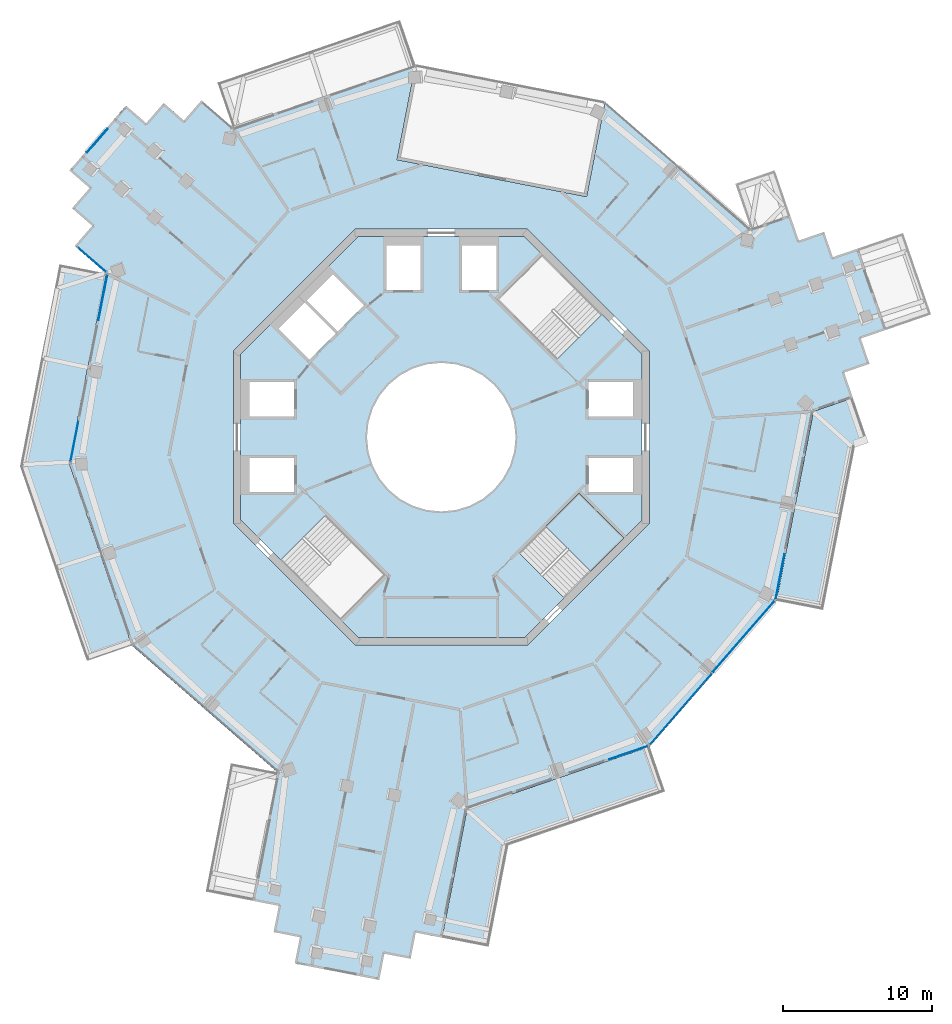
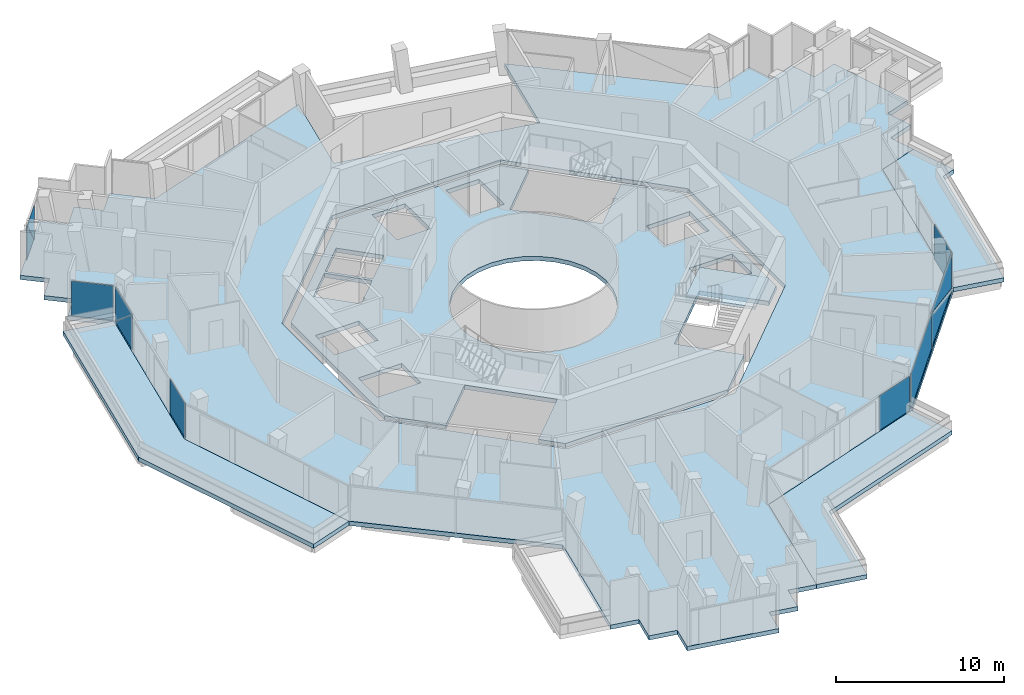
# One storey, part 11 of 22: 11 plates, 6 slabs, 7 elements without a shape of their own.
"""IFC4 building model written with IfcOpenShell, lengths in metres."""

from ifc_helpers import new_model, si_unit, direction, frame, origin, origin_2d, place, context, subcontext, project, spatial, polyline, rectangle, outline, extrude, material, layer, layer_set, type_object, element, aggregate, save


model = new_model("IFC4")

# Units and contexts
model_context = context("Model", 3, precision=1e-05, world=origin(), true_north=direction((0.0, 1.0)))
body_context = subcontext(model_context, "Body", "Model", "MODEL_VIEW")
ifc_project = project(units=[si_unit("LENGTHUNIT", "METRE"), si_unit("AREAUNIT", "SQUARE_METRE"), si_unit("VOLUMEUNIT", "CUBIC_METRE"), si_unit("PLANEANGLEUNIT", "RADIAN"), si_unit("MASSUNIT", "GRAM", prefix="KILO")], contexts=[model_context])

# Site, building, storey
site_placement = place(None, origin())
site = spatial("IfcSite", under=ifc_project, at=site_placement, CompositionType="ELEMENT")
building_placement = place(site_placement, origin())
building = spatial("IfcBuilding", under=site, at=building_placement, Name="Verdalira Terraces Hotel", CompositionType="ELEMENT")
storey_placement = place(building_placement, frame((0.0, 0.0, 234.0)))
storey = spatial("IfcBuildingStorey", under=building, at=storey_placement, Name="L57", CompositionType="ELEMENT", Elevation=234.0)

# Slabs
ifc_material_1 = material(Name="Precast concrete C40/50", Category="concrete")
ifc_layer_1 = layer(ifc_material_1, 0.31005859375)
ifc_layer_set_1 = layer_set([ifc_layer_1], Name="Balcony deck 310")
slab_type_1 = type_object("IfcSlabType", Name="Balcony deck 310", PredefinedType="FLOOR", material=ifc_layer_set_1)
slab_1_placement = place(storey_placement, frame((0.0, 0.0, -0.310059)))
element("IfcSlab", 1, at=slab_1_placement, inside=storey, type_object=slab_type_1, Name="Balcony deck", PredefinedType="FLOOR", context=body_context, shape_type="SweptSolid", body=[
    extrude(outline(polyline([(-28.359131, -1.963135), (-23.856689, -15.068848), (-20.830322, -14.029053), (-25.054199, -1.734375), (-22.564697, 11.025146), (-25.705566, 11.637939), (-28.359131, -1.963135)])), origin(), (0.0, 0.0, 1.0), 0.310059),
])
slab_2_placement = place(storey_placement, frame((0.0, 0.0, -0.310059)))
element("IfcSlab", 2, at=slab_2_placement, inside=storey, type_object=slab_type_1, Name="Balcony deck", PredefinedType="FLOOR", context=body_context, shape_type="SweptSolid", body=[
    extrude(outline(polyline([(15.068848, -23.856689), (14.029053, -20.830322), (1.734375, -25.054199), (0.048096, -33.697754), (3.188721, -34.310547), (4.521484, -27.480225), (15.068848, -23.856689)])), origin(), (0.0, 0.0, 1.0), 0.310059),
])
slab_3_placement = place(storey_placement, frame((0.0, 0.0, -0.310059)))
element("IfcSlab", 3, at=slab_3_placement, inside=storey, type_object=slab_type_1, Name="Balcony deck", PredefinedType="FLOOR", context=body_context, shape_type="SweptSolid", body=[
    extrude(outline(polyline([(28.748047, -0.380127), (27.708496, 2.64624), (25.054199, 1.734375), (22.564697, -11.025146), (25.705566, -11.637939), (27.841064, -0.69165), (28.748047, -0.380127)])), origin(), (0.0, 0.0, 1.0), 0.310059),
])

# Curtain wall, plates
ifc_material_2 = material(Name="Clear glass", Category="glass")
ifc_layer_2 = layer(ifc_material_2, 0.14990234375)
ifc_layer_set_2 = layer_set([ifc_layer_2], Name="CW1 curtain wall")
curtain_wall_type_1 = type_object("IfcCurtainWallType", Name="CW1 curtain wall", PredefinedType="NOTDEFINED", material=ifc_layer_set_2)
curtain_wall_1_placement = place(storey_placement, origin())
curtain_wall_1 = element("IfcCurtainWall", 4, at=curtain_wall_1_placement, inside=storey, type_object=curtain_wall_type_1, Name="CW1 curtain wall L57 edge 11", PredefinedType="NOTDEFINED")
ifc_material_3 = material(Name="Clear glass", Category="glass")
ifc_layer_3 = layer(ifc_material_3, 0.028076171875)
ifc_layer_set_3 = layer_set([ifc_layer_3], Name="CW1 glass unit 28")
plate_type_1 = type_object("IfcPlateType", Name="CW1 glass unit 28", PredefinedType="CURTAIN_PANEL", material=ifc_layer_set_3)
plate_1_placement = place(storey_placement, frame((-22.789551, 9.408203, 1.262451), z_axis=(-0.981493734, 0.191494254, 0.0), x_axis=(-0.191494254, -0.981493734, 0.0)))
plate_1 = element("IfcPlate", 5, at=plate_1_placement, type_object=plate_type_1, Name="CW1 glass unit", PredefinedType="CURTAIN_PANEL", context=body_context, shape_type="SweptSolid", body=[
    extrude(outline(polyline([(-1.569824, -1.262451), (1.569824, -1.262451), (1.569824, 1.262451), (-1.569824, -1.262451)])), origin(), (0.0, 0.0, 1.0), 0.028076),
])
plate_2_placement = place(storey_placement, frame((-22.760986, 9.402588, 1.262451), z_axis=(-0.981493734, 0.191494254, 0.0), x_axis=(-0.191494254, -0.981493734, 0.0)))
plate_2 = element("IfcPlate", 6, at=plate_2_placement, type_object=plate_type_1, Name="CW1 glass unit", PredefinedType="CURTAIN_PANEL", context=body_context, shape_type="SweptSolid", body=[
    extrude(outline(polyline([(-1.569824, -1.262451), (1.569824, 1.262451), (-1.569824, 1.262451), (-1.569824, -1.262451)])), origin(), (0.0, 0.0, 1.0), 0.028076),
])
plate_3_placement = place(storey_placement, frame((-24.699219, -0.306396, 0.0), z_axis=(0.0, 0.0, 1.0), x_axis=(-0.191494254, -0.981493734, 0.0)))
plate_3 = element("IfcPlate", 7, at=plate_3_placement, type_object=plate_type_1, Name="CW1 glass unit", PredefinedType="CURTAIN_PANEL", context=body_context, shape_type="SweptSolid", body=[
    extrude(rectangle(XDim=2.738525, YDim=0.028076, at=origin_2d()), origin(), (0.0, 0.0, 1.0), 2.524902),
])
aggregate(curtain_wall_1, [plate_1, plate_2, plate_3])

# Curtain wall, plate
curtain_wall_2_placement = place(storey_placement, origin())
curtain_wall_2 = element("IfcCurtainWall", 8, at=curtain_wall_2_placement, inside=storey, type_object=curtain_wall_type_1, Name="CW1 curtain wall L57 edge 25", PredefinedType="NOTDEFINED")
plate_4_placement = place(storey_placement, frame((12.61499, -21.236816, 0.0), z_axis=(0.0, 0.0, 1.0), x_axis=(0.945745635, 0.324907979, 0.0)))
plate_4 = element("IfcPlate", 9, at=plate_4_placement, type_object=plate_type_1, Name="CW1 glass unit", PredefinedType="CURTAIN_PANEL", context=body_context, shape_type="SweptSolid", body=[
    extrude(rectangle(XDim=2.738525, YDim=0.028076, at=origin_2d()), origin(), (0.0, 0.0, 1.0), 2.524902),
])
aggregate(curtain_wall_2, [plate_4])

# Curtain wall, plates
curtain_wall_3_placement = place(storey_placement, origin())
curtain_wall_3 = element("IfcCurtainWall", 10, at=curtain_wall_3_placement, inside=storey, type_object=curtain_wall_type_1, Name="CW1 curtain wall L57 edge 26", PredefinedType="NOTDEFINED")
plate_5_placement = place(storey_placement, frame((16.129395, -18.303223, 0.0), z_axis=(0.0, 0.0, 1.0), x_axis=(0.656585756, 0.754251381, 0.0)))
plate_5 = element("IfcPlate", 11, at=plate_5_placement, type_object=plate_type_1, Name="CW1 glass unit", PredefinedType="CURTAIN_PANEL", context=body_context, shape_type="SweptSolid", body=[
    extrude(rectangle(XDim=6.369873, YDim=0.028076, at=origin_2d()), origin(), (0.0, 0.0, 1.0), 2.524902),
])
plate_6_placement = place(storey_placement, frame((20.340576, -13.444336, 1.262451), z_axis=(0.754251381, -0.656585756, 0.0), x_axis=(0.656585756, 0.754251381, 0.0)))
plate_6 = element("IfcPlate", 12, at=plate_6_placement, type_object=plate_type_1, Name="CW1 glass unit", PredefinedType="CURTAIN_PANEL", context=body_context, shape_type="SweptSolid", body=[
    extrude(outline(polyline([(-3.185059, -1.262451), (3.185059, -1.262451), (-3.185059, 1.262451), (-3.185059, -1.262451)])), origin(), (0.0, 0.0, 1.0), 0.028076),
])
plate_7_placement = place(storey_placement, frame((20.318604, -13.425293, 1.262451), z_axis=(0.754251381, -0.656585756, 0.0), x_axis=(0.656585756, 0.754251381, 0.0)))
plate_7 = element("IfcPlate", 13, at=plate_7_placement, type_object=plate_type_1, Name="CW1 glass unit", PredefinedType="CURTAIN_PANEL", context=body_context, shape_type="SweptSolid", body=[
    extrude(outline(polyline([(3.185059, -1.262451), (3.185059, 1.262451), (-3.185059, 1.262451), (3.185059, -1.262451)])), origin(), (0.0, 0.0, 1.0), 0.028076),
])
aggregate(curtain_wall_3, [plate_5, plate_6, plate_7])

# Curtain wall, plate
curtain_wall_4_placement = place(storey_placement, origin())
curtain_wall_4 = element("IfcCurtainWall", 14, at=curtain_wall_4_placement, inside=storey, type_object=curtain_wall_type_1, Name="CW1 curtain wall L57 edge 27", PredefinedType="NOTDEFINED")
plate_8_placement = place(storey_placement, frame((22.807129, -9.391113, 0.0), z_axis=(0.0, 0.0, 1.0), x_axis=(0.191494254, 0.981493734, 0.0)))
plate_8 = element("IfcPlate", 15, at=plate_8_placement, type_object=plate_type_1, Name="CW1 glass unit", PredefinedType="CURTAIN_PANEL", context=body_context, shape_type="SweptSolid", body=[
    extrude(rectangle(XDim=3.099854, YDim=0.028076, at=origin_2d()), origin(), (0.0, 0.0, 1.0), 2.524902),
])
aggregate(curtain_wall_4, [plate_8])

ifc_material_4 = material(Name="Clear glass", Category="glass")
ifc_layer_4 = layer(ifc_material_4, 0.14990234375)
ifc_layer_set_4 = layer_set([ifc_layer_4], Name="CW2 curtain wall")
curtain_wall_type_2 = type_object("IfcCurtainWallType", Name="CW2 curtain wall", PredefinedType="NOTDEFINED", material=ifc_layer_set_4)
curtain_wall_5_placement = place(storey_placement, origin())
curtain_wall_5 = element("IfcCurtainWall", 16, at=curtain_wall_5_placement, inside=storey, type_object=curtain_wall_type_2, Name="CW2 curtain wall L57 edge 10", PredefinedType="NOTDEFINED")
ifc_material_5 = material(Name="Clear glass", Category="glass")
ifc_layer_5 = layer(ifc_material_5, 0.031982421875)
ifc_layer_set_5 = layer_set([ifc_layer_5], Name="CW2 glass unit 32")
plate_type_2 = type_object("IfcPlateType", Name="CW2 glass unit 32", PredefinedType="CURTAIN_PANEL", material=ifc_layer_set_5)
plate_9_placement = place(storey_placement, frame((-23.517334, 11.953613, 0.0), z_axis=(0.0, 0.0, 1.0), x_axis=(0.754251381, -0.656585756, 0.0)))
plate_9 = element("IfcPlate", 17, at=plate_9_placement, type_object=plate_type_2, Name="CW2 glass unit", PredefinedType="CURTAIN_PANEL", context=body_context, shape_type="SweptSolid", body=[
    extrude(rectangle(XDim=2.516602, YDim=0.031982, at=origin_2d()), origin(), (0.0, 0.0, 1.0), 2.524902),
])
aggregate(curtain_wall_5, [plate_9])

# Curtain wall, plates
ifc_material_6 = material(Name="Clear glass", Category="glass")
ifc_layer_6 = layer(ifc_material_6, 0.14990234375)
ifc_layer_set_6 = layer_set([ifc_layer_6], Name="CW3 curtain wall")
curtain_wall_type_3 = type_object("IfcCurtainWallType", Name="CW3 curtain wall", PredefinedType="NOTDEFINED", material=ifc_layer_set_6)
curtain_wall_6_placement = place(storey_placement, origin())
curtain_wall_6 = element("IfcCurtainWall", 18, at=curtain_wall_6_placement, inside=storey, type_object=curtain_wall_type_3, Name="CW3 curtain wall L57 edge 5", PredefinedType="NOTDEFINED")
ifc_material_7 = material(Name="Clear glass", Category="glass")
ifc_layer_7 = layer(ifc_material_7, 0.035888671875)
ifc_layer_set_7 = layer_set([ifc_layer_7], Name="CW3 glass unit 36")
plate_type_3 = type_object("IfcPlateType", Name="CW3 glass unit 36", PredefinedType="CURTAIN_PANEL", material=ifc_layer_set_7)
plate_10_placement = place(storey_placement, frame((-23.17627, 19.938477, 1.262451), z_axis=(-0.754251381, 0.656585756, 0.0), x_axis=(-0.656585756, -0.754251381, 0.0)))
plate_10 = element("IfcPlate", 19, at=plate_10_placement, type_object=plate_type_3, Name="CW3 glass unit", PredefinedType="CURTAIN_PANEL", context=body_context, shape_type="SweptSolid", body=[
    extrude(outline(polyline([(-1.079346, -1.262451), (1.079346, -1.262451), (1.079346, 1.262451), (-1.079346, -1.262451)])), origin(), (0.0, 0.0, 1.0), 0.035889),
])
plate_11_placement = place(storey_placement, frame((-23.148193, 19.914062, 1.262451), z_axis=(-0.754251381, 0.656585756, 0.0), x_axis=(-0.656585756, -0.754251381, 0.0)))
plate_11 = element("IfcPlate", 20, at=plate_11_placement, type_object=plate_type_3, Name="CW3 glass unit", PredefinedType="CURTAIN_PANEL", context=body_context, shape_type="SweptSolid", body=[
    extrude(outline(polyline([(-1.079346, -1.262451), (1.079346, 1.262451), (-1.079346, 1.262451), (-1.079346, -1.262451)])), origin(), (0.0, 0.0, 1.0), 0.035889),
])
aggregate(curtain_wall_6, [plate_10, plate_11])

# Slab
ifc_material_8 = material(Name="Concrete C40", Category="concrete")
ifc_layer_8 = layer(ifc_material_8, 0.31005859375)
ifc_layer_set_8 = layer_set([ifc_layer_8], Name="Core floor slab 310 mm")
slab_type_2 = type_object("IfcSlabType", Name="Core floor slab 310 mm", PredefinedType="FLOOR", material=ifc_layer_set_8)
slab_4_placement = place(storey_placement, frame((0.0, 0.0, -0.310059)))
element("IfcSlab", 21, at=slab_4_placement, inside=storey, type_object=slab_type_2, Name="L57 core floor", PredefinedType="FLOOR", context=body_context, shape_type="SweptSolid", body=[
    extrude(outline(polyline([(-6.77417, -12.317871), (-3.719482, -9.263184), (-7.763672, -5.21875), (-10.818359, -8.273438), (-13.5, -5.591797), (-13.5, 5.591797), (-5.591797, 13.5), (5.591797, 13.5), (6.77417, 12.317871), (3.719482, 9.263184), (7.763672, 5.21875), (10.818359, 8.273438), (13.5, 5.591797), (13.5, -5.591797), (12.317871, -6.77417), (9.263184, -3.719482), (5.21875, -7.763672), (8.273438, -10.818359), (5.591797, -13.5), (-5.591797, -13.5), (-6.77417, -12.317871)]), holes=[polyline([(9.899902, -1.399902), (9.899902, -3.699951), (12.899902, -3.699951), (12.899902, -1.399902), (9.899902, -1.399902)]), polyline([(9.899902, 3.699951), (9.899902, 1.399902), (12.899902, 1.399902), (12.899902, 3.699951), (9.899902, 3.699951)]), polyline([(3.699951, 12.899902), (1.399902, 12.899902), (1.399902, 9.899902), (3.699951, 9.899902), (3.699951, 12.899902)]), polyline([(-1.399902, 12.899902), (-3.699951, 12.899902), (-3.699951, 9.899902), (-1.399902, 9.899902), (-1.399902, 12.899902)]), polyline([(-9.899902, 1.399902), (-9.899902, 3.699951), (-12.899902, 3.699951), (-12.899902, 1.399902), (-9.899902, 1.399902)]), polyline([(-9.899902, -3.699951), (-9.899902, -1.399902), (-12.899902, -1.399902), (-12.899902, -3.699951), (-9.899902, -3.699951)]), polyline([(-9.051025, 9.192383), (-6.965088, 7.106445), (-5.197266, 8.874268), (-7.283203, 10.960205), (-9.051025, 9.192383)]), polyline([(-9.192383, 9.051025), (-10.960205, 7.283203), (-8.874268, 5.197266), (-7.106445, 6.965088), (-9.192383, 9.051025)]), polyline([(3.5354, 3.5354), (2.777832, 4.157227), (1.91333, 4.619385), (0.975586, 4.903809), (0.0, 5.0), (-0.975586, 4.903809), (-1.91333, 4.619385), (-2.777832, 4.157227), (-3.5354, 3.5354), (-4.157227, 2.777832), (-4.619385, 1.91333), (-4.903809, 0.975586), (-5.0, 0.0), (-4.903809, -0.975586), (-4.619385, -1.91333), (-4.157227, -2.777832), (-3.5354, -3.5354), (-2.777832, -4.157227), (-1.91333, -4.619385), (-0.975586, -4.903809), (0.0, -5.0), (0.975586, -4.903809), (1.91333, -4.619385), (2.777832, -4.157227), (3.5354, -3.5354), (4.157227, -2.777832), (4.619385, -1.91333), (4.903809, -0.975586), (5.0, 0.0), (4.903809, 0.975586), (4.619385, 1.91333), (4.157227, 2.777832), (3.5354, 3.5354)])]), origin(), (0.0, 0.0, 1.0), 0.310059),
])

# Stair, slab
ifc_material_9 = material(Name="Concrete C40", Category="concrete")
stair_type = type_object("IfcStairType", Name="Core stair 20 risers 2100 mm wide", PredefinedType="HALF_TURN_STAIR", material=ifc_material_9)
stair_placement = place(storey_placement, origin())
stair = element("IfcStair", 22, at=stair_placement, inside=storey, type_object=stair_type, Name="L57 Exit stair ST3", PredefinedType="HALF_TURN_STAIR")
ifc_material_10 = material(Name="Concrete C40", Category="concrete")
ifc_layer_9 = layer(ifc_material_10, 0.199951171875)
ifc_layer_set_9 = layer_set([ifc_layer_9], Name="Core stair landing 200 mm")
slab_type_3 = type_object("IfcSlabType", Name="Core stair landing 200 mm", PredefinedType="LANDING", material=ifc_layer_set_9)
slab_5_placement = place(storey_placement, frame((0.0, 0.0, 1.550049)))
slab_5 = element("IfcSlab", 23, at=slab_5_placement, type_object=slab_type_3, Name="ST3 landing 1", PredefinedType="LANDING", context=body_context, shape_type="SweptSolid", body=[
    extrude(outline(polyline([(10.054688, -9.037109), (12.303711, -6.78833), (9.263184, -3.747559), (7.01416, -5.996582), (10.054688, -9.037109)])), origin(), (0.0, 0.0, 1.0), 0.199951),
])
aggregate(stair, [slab_5])

# Slab
ifc_material_11 = material(Name="Concrete C40", Category="concrete")
ifc_layer_10 = layer(ifc_material_11, 0.31005859375)
ifc_layer_set_10 = layer_set([ifc_layer_10], Name="Floor slab 310 C40")
slab_type_4 = type_object("IfcSlabType", Name="Floor slab 310 C40", PredefinedType="FLOOR", material=ifc_layer_set_10)
slab_6_placement = place(storey_placement, frame((0.0, 0.0, -0.310059)))
element("IfcSlab", 24, at=slab_6_placement, inside=storey, type_object=slab_type_4, Name="Floor slab L57", PredefinedType="FLOOR", context=body_context, shape_type="SweptSolid", body=[
    extrude(outline(polyline([(23.484619, 14.940918), (20.830322, 14.029053), (11.025391, 22.564209), (9.780762, 16.184326), (-2.979736, 18.674072), (-1.734863, 25.053955), (-14.029053, 20.830322), (-16.145996, 22.673096), (-17.327881, 21.31543), (-18.685303, 22.497314), (-19.867188, 21.139648), (-21.224854, 22.321289), (-25.033203, 17.946777), (-23.675537, 16.764893), (-24.857422, 15.407227), (-23.499756, 14.225342), (-24.681396, 12.86792), (-22.564697, 11.024902), (-25.054199, -1.734375), (-20.830322, -14.029053), (-11.024902, -22.564697), (-12.711426, -31.208252), (-10.944824, -31.552979), (-11.289307, -33.31958), (-9.522705, -33.664307), (-9.867432, -35.430908), (-4.174805, -36.541748), (-3.830078, -34.774902), (-2.063477, -35.119629), (-1.71875, -33.353027), (0.048096, -33.697754), (1.734375, -25.054199), (14.029053, -20.830322), (22.564697, -11.024902), (25.054199, 1.734375), (27.708496, 2.64624), (27.123535, 4.348633), (28.825928, 4.93335), (28.241211, 6.635742), (29.943359, 7.220703), (28.058838, 12.705811), (26.356689, 12.121094), (25.771729, 13.823486), (24.069336, 13.238525), (23.484619, 14.940918)]), holes=[polyline([(5.799072, 14.0), (14.0, 5.799072), (14.0, -5.799072), (5.799072, -14.0), (-5.799072, -14.0), (-14.0, -5.799072), (-14.0, 5.799072), (-5.799072, 14.0), (5.799072, 14.0)])]), origin(), (0.0, 0.0, 1.0), 0.310059),
])

save(model, "model.ifc")
